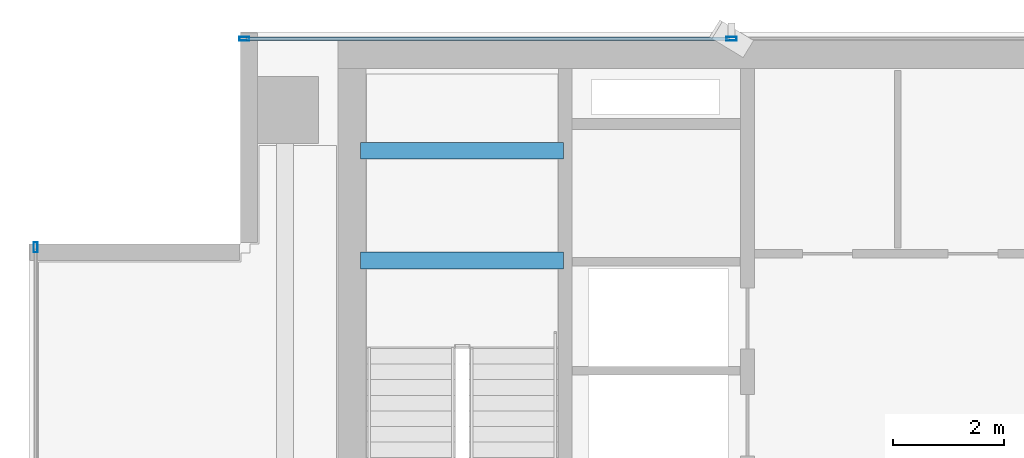
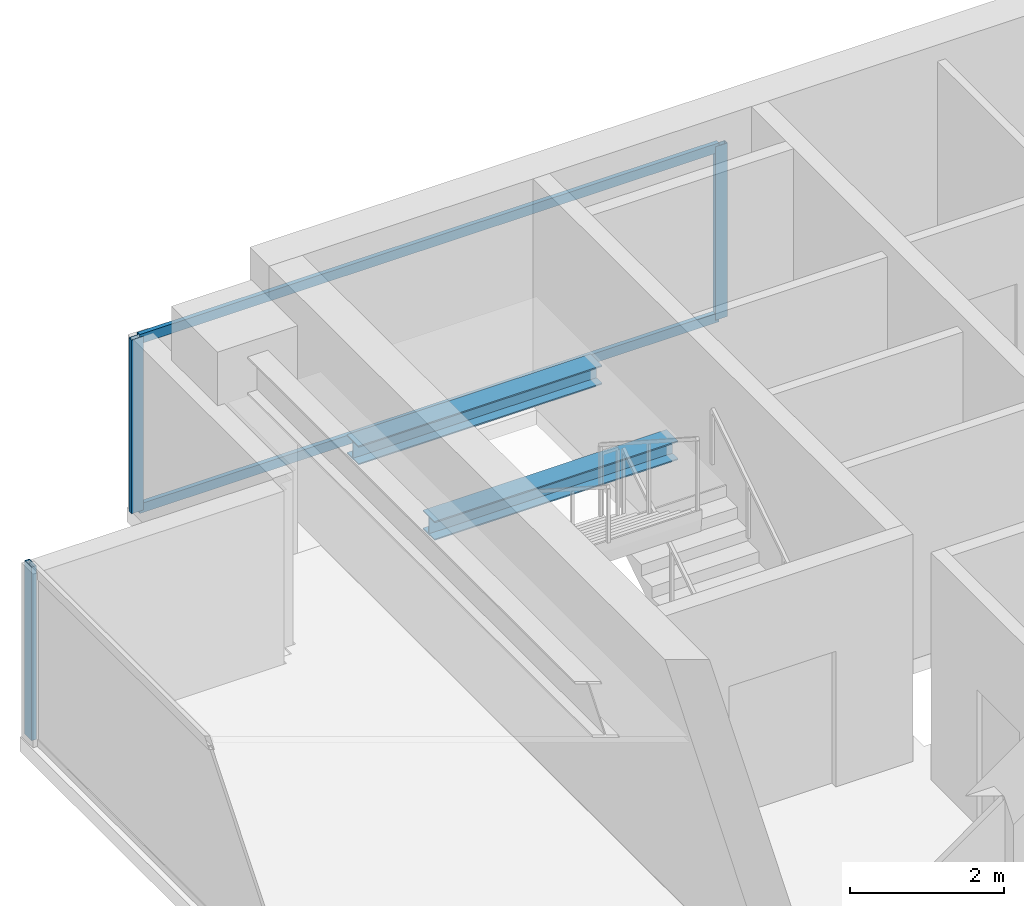
# One storey, part 11 of 22: 5 members, 2 beams, 2 elements without a shape of their own.
"""IFC4 building model written with IfcOpenShell, lengths in metres."""

from ifc_helpers import new_model, si_unit, direction, frame, origin, origin_2d, place, context, subcontext, project, spatial, hollow_rectangle, i_section, extrude, source, transform, mapped, material, layer, layer_set, material_profile, profile_set, type_object, element, aggregate, save


model = new_model("IFC4")

# Units and contexts
model_context = context("Model", 3, precision=1e-05, world=origin(), true_north=direction((0.0, 1.0)))
body_context = subcontext(model_context, "Body", "Model", "MODEL_VIEW")
ifc_project = project(units=[si_unit("LENGTHUNIT", "METRE"), si_unit("AREAUNIT", "SQUARE_METRE"), si_unit("VOLUMEUNIT", "CUBIC_METRE"), si_unit("PLANEANGLEUNIT", "RADIAN"), si_unit("MASSUNIT", "GRAM", prefix="KILO")], contexts=[model_context])

# Site, building, storey
site_placement = place(None, origin())
site = spatial("IfcSite", under=ifc_project, at=site_placement, CompositionType="ELEMENT")
building_placement = place(site_placement, origin())
building = spatial("IfcBuilding", under=site, at=building_placement, Name="Sumidabori Civic Tower", CompositionType="ELEMENT")
storey_placement = place(building_placement, frame((0.0, 0.0, 286.39990234375)))
storey = spatial("IfcBuildingStorey", under=building, at=storey_placement, Name="L75", CompositionType="ELEMENT", Elevation=286.39990234375)

# Beams
ifc_material_1 = material(Name="Steel SN490", Category="steel")
ifc_material_profile_1 = material_profile(ifc_material_1, i_section(OverallWidth=0.300048828125, OverallDepth=0.300048828125, WebThickness=0.010986328125, FlangeThickness=0.01904296875, at=origin_2d()), Name="HE 300 B")
ifc_profile_set_1 = profile_set([ifc_material_profile_1], Name="Steel SN490")
beam_type = type_object("IfcBeamType", Name="BM-LDG-300", PredefinedType="BEAM", material=ifc_profile_set_1)
shared_shape_1 = source(origin(), body_context, "Body", "SweptSolid", [
    extrude(i_section(OverallWidth=0.300048828125, OverallDepth=0.300048828125, WebThickness=0.010986328125, FlangeThickness=0.01904296875, at=origin_2d()), origin(), (0.0, 0.0, 1.0), 3.64990234375),
])
for number, where, z_axis, x_axis, name in (
    (1, (-15.449951171875, 20.09765625, 1.4501953125), (1.0, 0.0, 0.0), (0.0, 1.0, 0.0), "Stair ST-1 Landing Support Beam L75-1A"),
    (2, (-15.449951171875, 22.069580078125, 1.4501953125), (1.0, 0.0, 0.0), (0.0, 1.0, 0.0), "Stair ST-1 Landing Trimmer Beam L75-1B"),
):
    element("IfcBeam", number, at=place(storey_placement, frame(where, z_axis=z_axis, x_axis=x_axis)), inside=storey, type_object=beam_type, Name=name, PredefinedType="BEAM", context=body_context, shape_type="MappedRepresentation", body=[
        mapped(shared_shape_1, transform((0.0, 0.0, 0.0), x_axis=(1.0, 0.0, 0.0), y_axis=(0.0, 1.0, 0.0), z_axis=(0.0, 0.0, 1.0), scale=1.0)),
    ])

# Curtain wall, members
ifc_material_2 = material(Name="Anodised Bronze Aluminium AW-6063-T6", Category="aluminium")
ifc_layer = layer(ifc_material_2, 0.179931640625, Name="Anodised Bronze Aluminium AW-6063-T6")
ifc_layer_set = layer_set([ifc_layer], Name="Anodised Bronze Aluminium AW-6063-T6")
curtain_wall_type = type_object("IfcCurtainWallType", Name="CW-SYS-6", PredefinedType="NOTDEFINED", material=ifc_layer_set)
curtain_wall_1_placement = place(storey_placement, origin())
curtain_wall_1 = element("IfcCurtainWall", 3, at=curtain_wall_1_placement, inside=storey, type_object=curtain_wall_type, Name="Curtain Wall CW:L75:R07", PredefinedType="NOTDEFINED")
ifc_material_profile_2 = material_profile(ifc_material_2, hollow_rectangle(XDim=0.070068359375, YDim=0.179931640625, WallThickness=0.006103515625, at=origin_2d()), Name="ALU MULLION 180x70")
ifc_profile_set_2 = profile_set([ifc_material_profile_2], Name="Anodised Bronze Aluminium AW-6063-T6")
member_type_1 = type_object("IfcMemberType", Name="CW-MUL-180", PredefinedType="MULLION", material=ifc_profile_set_2)
shared_shape_2 = source(origin(), body_context, "Body", "SweptSolid", [
    extrude(hollow_rectangle(XDim=0.070068359375, YDim=0.179931640625, WallThickness=0.006103515625, at=origin_2d()), origin(), (0.0, 0.0, 1.0), 2.75),
])
member_1_placement = place(storey_placement, frame((-8.784912109375, 24.080078125, 0.0), z_axis=(0.0, 0.0, 1.0), x_axis=(0.0, -1.0, 0.0)))
member_1 = element("IfcMember", 4, at=member_1_placement, type_object=member_type_1, Name="CW-6 mullion 4", PredefinedType="MULLION", context=body_context, shape_type="MappedRepresentation", body=[
    mapped(shared_shape_2, transform((0.0, 0.0, 0.0), x_axis=(1.0, 0.0, 0.0), y_axis=(0.0, 1.0, 0.0), z_axis=(0.0, 0.0, 1.0), scale=1.0)),
])
member_2_placement = place(storey_placement, frame((-17.534912109375, 24.080078125, 0.0), z_axis=(0.0, 0.0, 1.0), x_axis=(0.0, -1.0, 0.0)))
member_2 = element("IfcMember", 5, at=member_2_placement, type_object=member_type_1, Name="CW-6 mullion 5", PredefinedType="MULLION", context=body_context, shape_type="MappedRepresentation", body=[
    mapped(shared_shape_2, transform((0.0, 0.0, 0.0), x_axis=(1.0, 0.0, 0.0), y_axis=(0.0, 1.0, 0.0), z_axis=(0.0, 0.0, 1.0), scale=1.0)),
])

# Curtain wall, member
curtain_wall_2_placement = place(storey_placement, origin())
curtain_wall_2 = element("IfcCurtainWall", 6, at=curtain_wall_2_placement, inside=storey, type_object=curtain_wall_type, Name="Curtain Wall CW:L75:R10", PredefinedType="NOTDEFINED")
member_3_placement = place(storey_placement, frame((-21.280029296875, 20.3349609375, 0.0), z_axis=(0.0, 0.0, 1.0), x_axis=(1.0, 0.0, 0.0)))
member_3 = element("IfcMember", 7, at=member_3_placement, type_object=member_type_1, Name="CW-6 mullion 1", PredefinedType="MULLION", context=body_context, shape_type="MappedRepresentation", body=[
    mapped(shared_shape_2, transform((0.0, 0.0, 0.0), x_axis=(1.0, 0.0, 0.0), y_axis=(0.0, 1.0, 0.0), z_axis=(0.0, 0.0, 1.0), scale=1.0)),
])
aggregate(curtain_wall_2, [member_3])

# Member
ifc_material_profile_3 = material_profile(ifc_material_2, hollow_rectangle(XDim=0.06494140625, YDim=0.14990234375, WallThickness=0.0048828125, at=origin_2d()), Name="ALU TRANSOM 150x65")
ifc_profile_set_3 = profile_set([ifc_material_profile_3], Name="Anodised Bronze Aluminium AW-6063-T6")
member_type_2 = type_object("IfcMemberType", Name="CW-TRN-150", PredefinedType="USERDEFINED", material=ifc_profile_set_3)
shared_shape_3 = source(origin(), body_context, "Body", "SweptSolid", [
    extrude(hollow_rectangle(XDim=0.06494140625, YDim=0.14990234375, WallThickness=0.0048828125, at=origin_2d()), origin(), (0.0, 0.0, 1.0), 8.679931640625),
])
member_4_placement = place(storey_placement, frame((-8.820068359375, 24.080078125, 0.03271484375), z_axis=(-1.0, 0.0, 0.0), x_axis=(0.0, -1.0, 0.0)))
member_4 = element("IfcMember", 8, at=member_4_placement, type_object=member_type_2, Name="CW-6 transom 4.1", ObjectType="TRANSOM", PredefinedType="USERDEFINED", context=body_context, shape_type="MappedRepresentation", body=[
    mapped(shared_shape_3, transform((0.0, 0.0, 0.0), x_axis=(1.0, 0.0, 0.0), y_axis=(0.0, 1.0, 0.0), z_axis=(0.0, 0.0, 1.0), scale=1.0)),
])

member_5_placement = place(storey_placement, frame((-8.820068359375, 24.080078125, 2.717529296875), z_axis=(-1.0, 0.0, 0.0), x_axis=(0.0, -1.0, 0.0)))
member_5 = element("IfcMember", 9, at=member_5_placement, type_object=member_type_2, Name="CW-6 transom 4.2", ObjectType="TRANSOM", PredefinedType="USERDEFINED", context=body_context, shape_type="MappedRepresentation", body=[
    mapped(shared_shape_3, transform((0.0, 0.0, 0.0), x_axis=(1.0, 0.0, 0.0), y_axis=(0.0, 1.0, 0.0), z_axis=(0.0, 0.0, 1.0), scale=1.0)),
])

aggregate(curtain_wall_1, [member_1, member_2, member_4, member_5])

save(model, "model.ifc")
